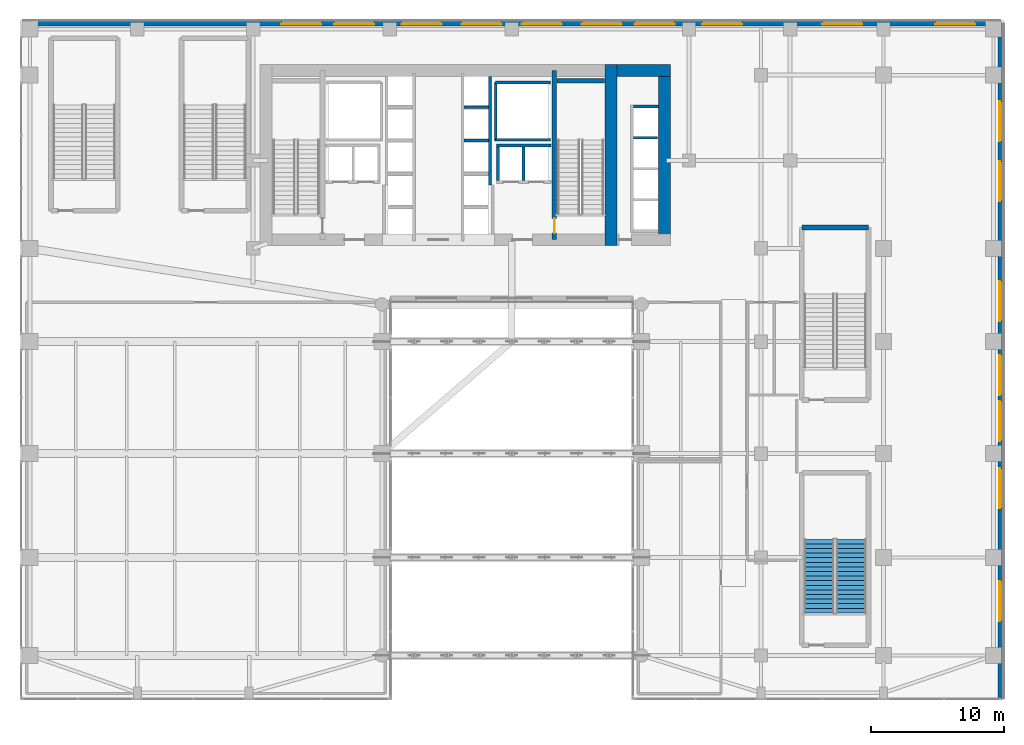
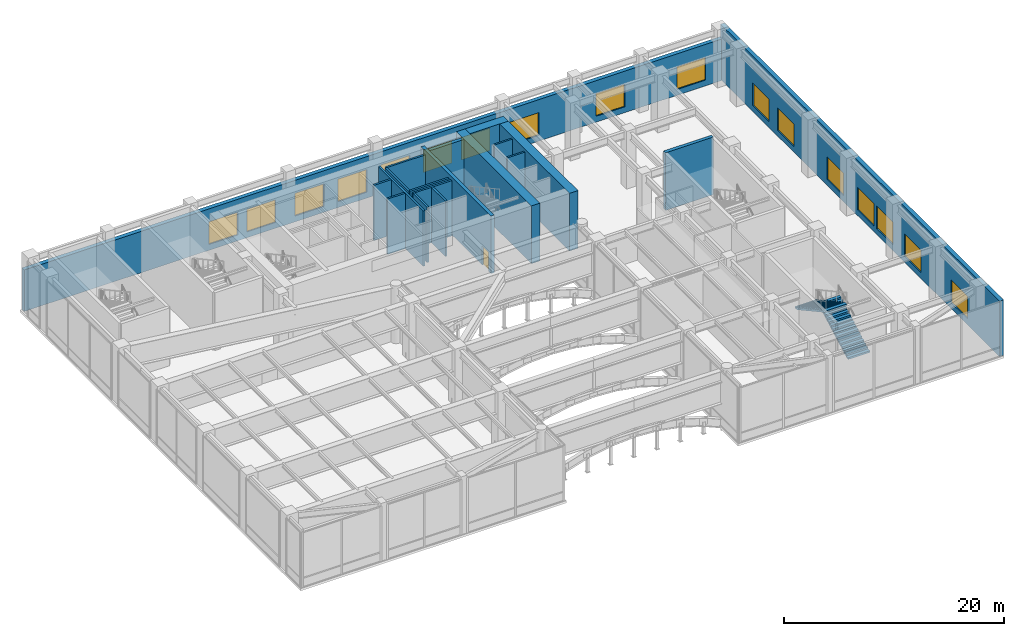
# One storey, part 41 of 50: 19 walls, 17 windows, 2 stair flights, 1 door, 18 openings, 1 element without a shape of its own.
"""IFC4 building model written with IfcOpenShell, lengths in metres."""

from ifc_helpers import new_model, si_unit, direction, frame, frame_2d, origin, place, context, subcontext, project, spatial, polyline, rectangle, outline, extrude, source, transform, mapped, material, layer, layer_set, type_object, type_shapes, element, fill, aggregate, save


model = new_model("IFC4")

# Units and contexts
model_context = context("Model", 3, precision=1e-05, world=origin(), true_north=direction((0.0, 1.0)))
body_context = subcontext(model_context, "Body", "Model", "MODEL_VIEW")
ifc_project = project(units=[si_unit("LENGTHUNIT", "METRE"), si_unit("AREAUNIT", "SQUARE_METRE"), si_unit("VOLUMEUNIT", "CUBIC_METRE"), si_unit("PLANEANGLEUNIT", "RADIAN"), si_unit("MASSUNIT", "GRAM", prefix="KILO")], contexts=[model_context])

# Site, building, storey
site_placement = place(None, origin())
site = spatial("IfcSite", under=ifc_project, at=site_placement, CompositionType="ELEMENT")
building_placement = place(site_placement, origin())
building = spatial("IfcBuilding", under=site, at=building_placement, Name="Tolvann Quenvar Hotel", CompositionType="ELEMENT")
storey_placement = place(building_placement, frame((0.0, 0.0, 16.0)))
storey = spatial("IfcBuildingStorey", under=building, at=storey_placement, Name="L03", CompositionType="ELEMENT", Elevation=16.0)

# Walls
ifc_material_1 = material(Name="Concrete S80 (80 MPa)", Category="concrete")
ifc_layer_1 = layer(ifc_material_1, 0.89990234375)
ifc_layer_set_1 = layer_set([ifc_layer_1], Name="Concrete S80 (80 MPa)")
wall_type_1 = type_object("IfcWallType", Name="WALL_CORE_900", PredefinedType="SHEAR", material=ifc_layer_set_1)
wall_1_placement = place(storey_placement, frame((35.949951171875, 31.60009765625, 0.0), z_axis=(0.0, 0.0, 1.0), x_axis=(0.0, 1.0, 0.0)))
element("IfcWall", 1, at=wall_1_placement, inside=storey, type_object=wall_type_1, Name="Rear Core E Shear Wall (L03)", PredefinedType="SHEAR", context=body_context, shape_type="SweptSolid", body=[
    extrude(rectangle(XDim=13.599853515625, YDim=0.89990234375, at=frame_2d((6.7998046875, 0.0))), origin(), (0.0, 0.0, 1.0), 6.39990234375),
])
wall_2_placement = place(storey_placement, frame((36.39990234375, 44.75, 0.0), z_axis=(0.0, 0.0, 1.0), x_axis=(1.0, 0.0, 0.0)))
element("IfcWall", 2, at=wall_2_placement, inside=storey, type_object=wall_type_1, Name="Core East Annex Shear Wall ANN-N (L03)", PredefinedType="SHEAR", context=body_context, shape_type="SweptSolid", body=[
    extrude(rectangle(XDim=4.0, YDim=0.89990234375, at=frame_2d((2.0, 0.0))), origin(), (0.0, 0.0, 1.0), 6.39990234375),
])
wall_3_placement = place(storey_placement, frame((39.949951171875, 31.60009765625, 0.0), z_axis=(0.0, 0.0, 1.0), x_axis=(0.0, 1.0, 0.0)))
element("IfcWall", 3, at=wall_3_placement, inside=storey, type_object=wall_type_1, Name="Core East Annex Shear Wall ANN-E (L03)", PredefinedType="SHEAR", context=body_context, shape_type="SweptSolid", body=[
    extrude(rectangle(XDim=13.599853515625, YDim=0.89990234375, at=frame_2d((6.7998046875, 0.0))), origin(), (0.0, 0.0, 1.0), 6.39990234375),
])

# Wall, opening, door
ifc_material_2 = material(Name="Concrete S65 (65 MPa)", Category="concrete")
ifc_layer_2 = layer(ifc_material_2, 0.35009765625)
ifc_layer_set_2 = layer_set([ifc_layer_2], Name="Concrete S65 (65 MPa)")
wall_type_2 = type_object("IfcWallType", Name="WALL_CORE_INT_350", PredefinedType="SHEAR", material=ifc_layer_set_2)
wall_4_placement = place(storey_placement, frame((31.699951171875, 32.050048828125, 0.0), z_axis=(0.0, 0.0, 1.0), x_axis=(0.0, 1.0, 0.0)))
wall_4 = element("IfcWall", 4, at=wall_4_placement, inside=storey, type_object=wall_type_2, Name="Core Internal Web Shear Wall WEB-E (L03)", PredefinedType="SHEAR", context=body_context, shape_type="SweptSolid", body=[
    extrude(rectangle(XDim=12.699951171875, YDim=0.35009765625, at=frame_2d((6.35009765625, 0.0))), origin(), (0.0, 0.0, 1.0), 6.39990234375),
])
opening_1_placement = place(wall_4_placement, frame((1.60009765625, 0.0, 0.0), z_axis=(0.0, 0.0, 1.0), x_axis=(-1.0, 0.0, 0.0)))
opening_1 = element("IfcOpeningElement", 5, at=opening_1_placement, cuts=wall_4, Name="Opening FD-120", PredefinedType="OPENING", context=body_context, shape_type="SweptSolid", body=[
    extrude(rectangle(XDim=1.10009765625, YDim=2.1201171875, at=frame_2d((0.550048828125, 1.06005859375))), frame((0.0, 0.18505859375, 0.0), z_axis=(0.0, -1.0, 0.0), x_axis=(1.0, 0.0, 0.0)), (0.0, 0.0, 1.0), 0.3701171875),
])
ifc_material_3 = material(Name="Pressed galvanised steel fire-rated door set", Category="steel")
door_type = type_object("IfcDoorType", Name="DOOR_FIRE_STAIR_1100", OperationType="NOTDEFINED", PredefinedType="DOOR", material=ifc_material_3)
shared_shape_1 = source(origin(), body_context, "Body", "SweptSolid", [
    extrude(rectangle(XDim=1.10009765625, YDim=2.1201171875, at=frame_2d((0.550048828125, 1.06005859375))), frame((0.0, 0.02490234375, 0.0), z_axis=(0.0, -1.0, 0.0), x_axis=(1.0, 0.0, 0.0)), (0.0, 0.0, 1.0), 0.050048828125),
])
type_shapes(door_type, [shared_shape_1])
door_placement = place(opening_1_placement, origin())
door = element("IfcDoor", 6, at=door_placement, inside=storey, type_object=door_type, Name="Exit Stair ST-C2 Fire Door (L03)", OperationType="SINGLE_SWING_LEFT", OverallHeight=2.1201171875, OverallWidth=1.10009765625, PredefinedType="DOOR", context=body_context, shape_type="MappedRepresentation", body=[
    mapped(shared_shape_1, transform((0.0, 0.0, 0.0), x_axis=(1.0, 0.0, 0.0), y_axis=(0.0, 1.0, 0.0), z_axis=(0.0, 0.0, 1.0), scale=1.0)),
])
fill(opening_1, door)

# Walls
wall_5_placement = place(storey_placement, frame((31.8798828125, 43.97509765625, 0.0), z_axis=(0.0, 0.0, 1.0), x_axis=(1.0, 0.0, 0.0)))
element("IfcWall", 7, at=wall_5_placement, inside=storey, type_object=wall_type_2, Name="Core Stair North Closing Shear Wall STC2-N (L03)", PredefinedType="SHEAR", context=body_context, shape_type="SweptSolid", body=[
    extrude(rectangle(XDim=3.60009765625, YDim=0.35009765625, at=frame_2d((1.800048828125, 0.0))), origin(), (0.0, 0.0, 1.0), 6.39990234375),
])
wall_6_placement = place(storey_placement, frame((55.27490234375, 32.97509765625, 0.0), z_axis=(0.0, 0.0, 1.0), x_axis=(-1.0, 0.0, 0.0)))
element("IfcWall", 8, at=wall_6_placement, inside=storey, type_object=wall_type_2, Name="Stairwell ST-P4 Structural Shaft Wall N (L03)", PredefinedType="SHEAR", context=body_context, shape_type="SweptSolid", body=[
    extrude(rectangle(XDim=5.0, YDim=0.35009765625, at=frame_2d((2.5, 0.0))), origin(), (0.0, 0.0, 1.0), 6.39990234375),
])

# Wall, openings, windows
ifc_material_4 = material(Name="Kiln-fired red and buff architectural clay brickwork and terracotta masonry", Category="masonry")
ifc_layer_3 = layer(ifc_material_4, 0.419921875)
ifc_layer_set_3 = layer_set([ifc_layer_3], Name="Kiln-fired red and buff architectural clay brickwork and terracotta masonry")
wall_type_3 = type_object("IfcWallType", Name="WALL_EXT_POD_420", PredefinedType="SOLIDWALL", material=ifc_layer_set_3)
wall_7_placement = place(storey_placement, frame((65.18994140625, -2.409912109375, 0.0), z_axis=(0.0, 0.0, 1.0), x_axis=(0.0, 1.0, 0.0)))
wall_7 = element("IfcWall", 9, at=wall_7_placement, inside=storey, type_object=wall_type_3, Name="Exterior Chicago Brick Wall L03-E05", PredefinedType="SOLIDWALL", context=body_context, shape_type="SweptSolid", body=[
    extrude(rectangle(XDim=50.699951171875, YDim=0.419921875, at=frame_2d((25.35009765625, 0.0))), origin(), (0.0, 0.0, 1.0), 6.139892578125),
])
opening_2_placement = place(wall_7_placement, frame((5.85009765625, 0.0, 0.64990234375)))
opening_2 = element("IfcOpeningElement", 10, at=opening_2_placement, cuts=wall_7, Name="Opening W-05", PredefinedType="OPENING", context=body_context, shape_type="SweptSolid", body=[
    extrude(rectangle(XDim=3.0, YDim=2.5, at=frame_2d((1.5, 1.25))), frame((0.0, 0.219970703125, 0.0), z_axis=(0.0, -1.0, 0.0), x_axis=(1.0, 0.0, 0.0)), (0.0, 0.0, 1.0), 0.43994140625),
])
opening_3_placement = place(wall_7_placement, frame((14.300048828125, 0.0, 0.64990234375)))
opening_3 = element("IfcOpeningElement", 11, at=opening_3_placement, cuts=wall_7, Name="Opening W-05", PredefinedType="OPENING", context=body_context, shape_type="SweptSolid", body=[
    extrude(rectangle(XDim=3.0, YDim=2.5, at=frame_2d((1.5, 1.25))), frame((0.0, 0.219970703125, 0.0), z_axis=(0.0, -1.0, 0.0), x_axis=(1.0, 0.0, 0.0)), (0.0, 0.0, 1.0), 0.43994140625),
])
opening_4_placement = place(wall_7_placement, frame((19.35009765625, 0.0, 0.64990234375)))
opening_4 = element("IfcOpeningElement", 12, at=opening_4_placement, cuts=wall_7, Name="Opening W-05", PredefinedType="OPENING", context=body_context, shape_type="SweptSolid", body=[
    extrude(rectangle(XDim=3.0, YDim=2.5, at=frame_2d((1.5, 1.25))), frame((0.0, 0.219970703125, 0.0), z_axis=(0.0, -1.0, 0.0), x_axis=(1.0, 0.0, 0.0)), (0.0, 0.0, 1.0), 0.43994140625),
])
opening_5_placement = place(wall_7_placement, frame((22.800048828125, 0.0, 0.64990234375)))
opening_5 = element("IfcOpeningElement", 13, at=opening_5_placement, cuts=wall_7, Name="Opening W-05", PredefinedType="OPENING", context=body_context, shape_type="SweptSolid", body=[
    extrude(rectangle(XDim=3.0, YDim=2.5, at=frame_2d((1.5, 1.25))), frame((0.0, 0.219970703125, 0.0), z_axis=(0.0, -1.0, 0.0), x_axis=(1.0, 0.0, 0.0)), (0.0, 0.0, 1.0), 0.43994140625),
])
opening_6_placement = place(wall_7_placement, frame((28.35009765625, 0.0, 0.64990234375)))
opening_6 = element("IfcOpeningElement", 14, at=opening_6_placement, cuts=wall_7, Name="Opening W-05", PredefinedType="OPENING", context=body_context, shape_type="SweptSolid", body=[
    extrude(rectangle(XDim=3.0, YDim=2.5, at=frame_2d((1.5, 1.25))), frame((0.0, 0.219970703125, 0.0), z_axis=(0.0, -1.0, 0.0), x_axis=(1.0, 0.0, 0.0)), (0.0, 0.0, 1.0), 0.43994140625),
])
opening_7_placement = place(wall_7_placement, frame((37.35009765625, 0.0, 0.64990234375)))
opening_7 = element("IfcOpeningElement", 15, at=opening_7_placement, cuts=wall_7, Name="Opening W-05", PredefinedType="OPENING", context=body_context, shape_type="SweptSolid", body=[
    extrude(rectangle(XDim=3.0, YDim=2.5, at=frame_2d((1.5, 1.25))), frame((0.0, 0.219970703125, 0.0), z_axis=(0.0, -1.0, 0.0), x_axis=(1.0, 0.0, 0.0)), (0.0, 0.0, 1.0), 0.43994140625),
])
opening_8_placement = place(wall_7_placement, frame((41.85009765625, 0.0, 0.64990234375)))
opening_8 = element("IfcOpeningElement", 16, at=opening_8_placement, cuts=wall_7, Name="Opening W-05", PredefinedType="OPENING", context=body_context, shape_type="SweptSolid", body=[
    extrude(rectangle(XDim=3.0, YDim=2.5, at=frame_2d((1.5, 1.25))), frame((0.0, 0.219970703125, 0.0), z_axis=(0.0, -1.0, 0.0), x_axis=(1.0, 0.0, 0.0)), (0.0, 0.0, 1.0), 0.43994140625),
])
ifc_material_5 = material(Name="Thermally broken bronze-anodised aluminium frame with double low-E glazing", Category="aluminium")
window_type = type_object("IfcWindowType", Name="WIN_POD_3000x2600", PartitioningType="TRIPLE_PANEL_HORIZONTAL", PredefinedType="WINDOW", material=ifc_material_5)
shared_shape_2 = source(origin(), body_context, "Body", "SweptSolid", [
    extrude(rectangle(XDim=3.0, YDim=2.5, at=frame_2d((1.5, 1.25))), frame((0.0, 0.090087890625, 0.0), z_axis=(0.0, -1.0, 0.0), x_axis=(1.0, 0.0, 0.0)), (0.0, 0.0, 1.0), 0.06005859375),
])
type_shapes(window_type, [shared_shape_2])
window_1_placement = place(opening_2_placement, origin())
window_1 = element("IfcWindow", 17, at=window_1_placement, inside=storey, type_object=window_type, Name="Chicago Window W-05 (EW-L03-E05-W01)", OverallHeight=2.5, OverallWidth=3.0, PartitioningType="TRIPLE_PANEL_HORIZONTAL", PredefinedType="WINDOW", context=body_context, shape_type="MappedRepresentation", body=[
    mapped(shared_shape_2, transform((0.0, 0.0, 0.0), x_axis=(1.0, 0.0, 0.0), y_axis=(0.0, 1.0, 0.0), z_axis=(0.0, 0.0, 1.0), scale=1.0)),
])
fill(opening_2, window_1)
window_2_placement = place(opening_3_placement, origin())
window_2 = element("IfcWindow", 18, at=window_2_placement, inside=storey, type_object=window_type, Name="Chicago Window W-05 (EW-L03-E05-W02)", OverallHeight=2.5, OverallWidth=3.0, PartitioningType="TRIPLE_PANEL_HORIZONTAL", PredefinedType="WINDOW", context=body_context, shape_type="MappedRepresentation", body=[
    mapped(shared_shape_2, transform((0.0, 0.0, 0.0), x_axis=(1.0, 0.0, 0.0), y_axis=(0.0, 1.0, 0.0), z_axis=(0.0, 0.0, 1.0), scale=1.0)),
])
fill(opening_3, window_2)
window_3_placement = place(opening_4_placement, origin())
window_3 = element("IfcWindow", 19, at=window_3_placement, inside=storey, type_object=window_type, Name="Chicago Window W-05 (EW-L03-E05-W03)", OverallHeight=2.5, OverallWidth=3.0, PartitioningType="TRIPLE_PANEL_HORIZONTAL", PredefinedType="WINDOW", context=body_context, shape_type="MappedRepresentation", body=[
    mapped(shared_shape_2, transform((0.0, 0.0, 0.0), x_axis=(1.0, 0.0, 0.0), y_axis=(0.0, 1.0, 0.0), z_axis=(0.0, 0.0, 1.0), scale=1.0)),
])
fill(opening_4, window_3)
window_4_placement = place(opening_5_placement, origin())
window_4 = element("IfcWindow", 20, at=window_4_placement, inside=storey, type_object=window_type, Name="Chicago Window W-05 (EW-L03-E05-W04)", OverallHeight=2.5, OverallWidth=3.0, PartitioningType="TRIPLE_PANEL_HORIZONTAL", PredefinedType="WINDOW", context=body_context, shape_type="MappedRepresentation", body=[
    mapped(shared_shape_2, transform((0.0, 0.0, 0.0), x_axis=(1.0, 0.0, 0.0), y_axis=(0.0, 1.0, 0.0), z_axis=(0.0, 0.0, 1.0), scale=1.0)),
])
fill(opening_5, window_4)
window_5_placement = place(opening_6_placement, origin())
window_5 = element("IfcWindow", 21, at=window_5_placement, inside=storey, type_object=window_type, Name="Chicago Window W-05 (EW-L03-E05-W05)", OverallHeight=2.5, OverallWidth=3.0, PartitioningType="TRIPLE_PANEL_HORIZONTAL", PredefinedType="WINDOW", context=body_context, shape_type="MappedRepresentation", body=[
    mapped(shared_shape_2, transform((0.0, 0.0, 0.0), x_axis=(1.0, 0.0, 0.0), y_axis=(0.0, 1.0, 0.0), z_axis=(0.0, 0.0, 1.0), scale=1.0)),
])
fill(opening_6, window_5)
window_6_placement = place(opening_7_placement, origin())
window_6 = element("IfcWindow", 22, at=window_6_placement, inside=storey, type_object=window_type, Name="Chicago Window W-05 (EW-L03-E05-W06)", OverallHeight=2.5, OverallWidth=3.0, PartitioningType="TRIPLE_PANEL_HORIZONTAL", PredefinedType="WINDOW", context=body_context, shape_type="MappedRepresentation", body=[
    mapped(shared_shape_2, transform((0.0, 0.0, 0.0), x_axis=(1.0, 0.0, 0.0), y_axis=(0.0, 1.0, 0.0), z_axis=(0.0, 0.0, 1.0), scale=1.0)),
])
fill(opening_7, window_6)
window_7_placement = place(opening_8_placement, origin())
window_7 = element("IfcWindow", 23, at=window_7_placement, inside=storey, type_object=window_type, Name="Chicago Window W-05 (EW-L03-E05-W07)", OverallHeight=2.5, OverallWidth=3.0, PartitioningType="TRIPLE_PANEL_HORIZONTAL", PredefinedType="WINDOW", context=body_context, shape_type="MappedRepresentation", body=[
    mapped(shared_shape_2, transform((0.0, 0.0, 0.0), x_axis=(1.0, 0.0, 0.0), y_axis=(0.0, 1.0, 0.0), z_axis=(0.0, 0.0, 1.0), scale=1.0)),
])
fill(opening_8, window_7)

wall_8_placement = place(storey_placement, frame((65.18994140625, 48.2900390625, 0.0), z_axis=(0.0, 0.0, 1.0), x_axis=(-1.0, 0.0, 0.0)))
wall_8 = element("IfcWall", 24, at=wall_8_placement, inside=storey, type_object=wall_type_3, Name="Exterior Chicago Brick Wall L03-E06", PredefinedType="SOLIDWALL", context=body_context, shape_type="SweptSolid", body=[
    extrude(rectangle(XDim=73.3798828125, YDim=0.419921875, at=frame_2d((36.68994140625, 0.0))), origin(), (0.0, 0.0, 1.0), 4.60009765625),
])
opening_9_placement = place(wall_8_placement, frame((1.906005859375, 0.0, 0.64990234375)))
opening_9 = element("IfcOpeningElement", 25, at=opening_9_placement, cuts=wall_8, Name="Opening W-05", PredefinedType="OPENING", context=body_context, shape_type="SweptSolid", body=[
    extrude(rectangle(XDim=3.0, YDim=2.5, at=frame_2d((1.5, 1.25))), frame((0.0, 0.219970703125, 0.0), z_axis=(0.0, -1.0, 0.0), x_axis=(1.0, 0.0, 0.0)), (0.0, 0.0, 1.0), 0.43994140625),
])
opening_10_placement = place(wall_8_placement, frame((10.3779296875, 0.0, 0.64990234375)))
opening_10 = element("IfcOpeningElement", 26, at=opening_10_placement, cuts=wall_8, Name="Opening W-05", PredefinedType="OPENING", context=body_context, shape_type="SweptSolid", body=[
    extrude(rectangle(XDim=3.0, YDim=2.5, at=frame_2d((1.5, 1.25))), frame((0.0, 0.219970703125, 0.0), z_axis=(0.0, -1.0, 0.0), x_axis=(1.0, 0.0, 0.0)), (0.0, 0.0, 1.0), 0.43994140625),
])
opening_11_placement = place(wall_8_placement, frame((19.40087890625, 0.0, 0.64990234375)))
opening_11 = element("IfcOpeningElement", 27, at=opening_11_placement, cuts=wall_8, Name="Opening W-05", PredefinedType="OPENING", context=body_context, shape_type="SweptSolid", body=[
    extrude(rectangle(XDim=3.0, YDim=2.5, at=frame_2d((1.5, 1.25))), frame((0.0, 0.219970703125, 0.0), z_axis=(0.0, -1.0, 0.0), x_axis=(1.0, 0.0, 0.0)), (0.0, 0.0, 1.0), 0.43994140625),
])
opening_12_placement = place(wall_8_placement, frame((24.4619140625, 0.0, 0.64990234375)))
opening_12 = element("IfcOpeningElement", 28, at=opening_12_placement, cuts=wall_8, Name="Opening W-05", PredefinedType="OPENING", context=body_context, shape_type="SweptSolid", body=[
    extrude(rectangle(XDim=3.0, YDim=2.5, at=frame_2d((1.5, 1.25))), frame((0.0, 0.219970703125, 0.0), z_axis=(0.0, -1.0, 0.0), x_axis=(1.0, 0.0, 0.0)), (0.0, 0.0, 1.0), 0.43994140625),
])
opening_13_placement = place(wall_8_placement, frame((28.423095703125, 0.0, 0.64990234375)))
opening_13 = element("IfcOpeningElement", 29, at=opening_13_placement, cuts=wall_8, Name="Opening W-05", PredefinedType="OPENING", context=body_context, shape_type="SweptSolid", body=[
    extrude(rectangle(XDim=3.0, YDim=2.5, at=frame_2d((1.5, 1.25))), frame((0.0, 0.219970703125, 0.0), z_axis=(0.0, -1.0, 0.0), x_axis=(1.0, 0.0, 0.0)), (0.0, 0.0, 1.0), 0.43994140625),
])
opening_14_placement = place(wall_8_placement, frame((32.93408203125, 0.0, 0.64990234375)))
opening_14 = element("IfcOpeningElement", 30, at=opening_14_placement, cuts=wall_8, Name="Opening W-05", PredefinedType="OPENING", context=body_context, shape_type="SweptSolid", body=[
    extrude(rectangle(XDim=3.0, YDim=2.5, at=frame_2d((1.5, 1.25))), frame((0.0, 0.219970703125, 0.0), z_axis=(0.0, -1.0, 0.0), x_axis=(1.0, 0.0, 0.0)), (0.0, 0.0, 1.0), 0.43994140625),
])
opening_15_placement = place(wall_8_placement, frame((37.446044921875, 0.0, 0.64990234375)))
opening_15 = element("IfcOpeningElement", 31, at=opening_15_placement, cuts=wall_8, Name="Opening W-05", PredefinedType="OPENING", context=body_context, shape_type="SweptSolid", body=[
    extrude(rectangle(XDim=3.0, YDim=2.5, at=frame_2d((1.5, 1.25))), frame((0.0, 0.219970703125, 0.0), z_axis=(0.0, -1.0, 0.0), x_axis=(1.0, 0.0, 0.0)), (0.0, 0.0, 1.0), 0.43994140625),
])
opening_16_placement = place(wall_8_placement, frame((41.95703125, 0.0, 0.64990234375)))
opening_16 = element("IfcOpeningElement", 32, at=opening_16_placement, cuts=wall_8, Name="Opening W-05", PredefinedType="OPENING", context=body_context, shape_type="SweptSolid", body=[
    extrude(rectangle(XDim=3.0, YDim=2.5, at=frame_2d((1.5, 1.25))), frame((0.0, 0.219970703125, 0.0), z_axis=(0.0, -1.0, 0.0), x_axis=(1.0, 0.0, 0.0)), (0.0, 0.0, 1.0), 0.43994140625),
])
opening_17_placement = place(wall_8_placement, frame((47.01806640625, 0.0, 0.64990234375)))
opening_17 = element("IfcOpeningElement", 33, at=opening_17_placement, cuts=wall_8, Name="Opening W-05", PredefinedType="OPENING", context=body_context, shape_type="SweptSolid", body=[
    extrude(rectangle(XDim=3.0, YDim=2.5, at=frame_2d((1.5, 1.25))), frame((0.0, 0.219970703125, 0.0), z_axis=(0.0, -1.0, 0.0), x_axis=(1.0, 0.0, 0.0)), (0.0, 0.0, 1.0), 0.43994140625),
])
opening_18_placement = place(wall_8_placement, frame((50.97900390625, 0.0, 0.64990234375)))
opening_18 = element("IfcOpeningElement", 34, at=opening_18_placement, cuts=wall_8, Name="Opening W-05", PredefinedType="OPENING", context=body_context, shape_type="SweptSolid", body=[
    extrude(rectangle(XDim=3.0, YDim=2.5, at=frame_2d((1.5, 1.25))), frame((0.0, 0.219970703125, 0.0), z_axis=(0.0, -1.0, 0.0), x_axis=(1.0, 0.0, 0.0)), (0.0, 0.0, 1.0), 0.43994140625),
])
window_8_placement = place(opening_9_placement, origin())
window_8 = element("IfcWindow", 35, at=window_8_placement, inside=storey, type_object=window_type, Name="Chicago Window W-05 (EW-L03-E06-W01)", OverallHeight=2.5, OverallWidth=3.0, PartitioningType="TRIPLE_PANEL_HORIZONTAL", PredefinedType="WINDOW", context=body_context, shape_type="MappedRepresentation", body=[
    mapped(shared_shape_2, transform((0.0, 0.0, 0.0), x_axis=(1.0, 0.0, 0.0), y_axis=(0.0, 1.0, 0.0), z_axis=(0.0, 0.0, 1.0), scale=1.0)),
])
fill(opening_9, window_8)
window_9_placement = place(opening_10_placement, origin())
window_9 = element("IfcWindow", 36, at=window_9_placement, inside=storey, type_object=window_type, Name="Chicago Window W-05 (EW-L03-E06-W02)", OverallHeight=2.5, OverallWidth=3.0, PartitioningType="TRIPLE_PANEL_HORIZONTAL", PredefinedType="WINDOW", context=body_context, shape_type="MappedRepresentation", body=[
    mapped(shared_shape_2, transform((0.0, 0.0, 0.0), x_axis=(1.0, 0.0, 0.0), y_axis=(0.0, 1.0, 0.0), z_axis=(0.0, 0.0, 1.0), scale=1.0)),
])
fill(opening_10, window_9)
window_10_placement = place(opening_11_placement, origin())
window_10 = element("IfcWindow", 37, at=window_10_placement, inside=storey, type_object=window_type, Name="Chicago Window W-05 (EW-L03-E06-W03)", OverallHeight=2.5, OverallWidth=3.0, PartitioningType="TRIPLE_PANEL_HORIZONTAL", PredefinedType="WINDOW", context=body_context, shape_type="MappedRepresentation", body=[
    mapped(shared_shape_2, transform((0.0, 0.0, 0.0), x_axis=(1.0, 0.0, 0.0), y_axis=(0.0, 1.0, 0.0), z_axis=(0.0, 0.0, 1.0), scale=1.0)),
])
fill(opening_11, window_10)
window_11_placement = place(opening_12_placement, origin())
window_11 = element("IfcWindow", 38, at=window_11_placement, inside=storey, type_object=window_type, Name="Chicago Window W-05 (EW-L03-E06-W04)", OverallHeight=2.5, OverallWidth=3.0, PartitioningType="TRIPLE_PANEL_HORIZONTAL", PredefinedType="WINDOW", context=body_context, shape_type="MappedRepresentation", body=[
    mapped(shared_shape_2, transform((0.0, 0.0, 0.0), x_axis=(1.0, 0.0, 0.0), y_axis=(0.0, 1.0, 0.0), z_axis=(0.0, 0.0, 1.0), scale=1.0)),
])
fill(opening_12, window_11)
window_12_placement = place(opening_13_placement, origin())
window_12 = element("IfcWindow", 39, at=window_12_placement, inside=storey, type_object=window_type, Name="Chicago Window W-05 (EW-L03-E06-W05)", OverallHeight=2.5, OverallWidth=3.0, PartitioningType="TRIPLE_PANEL_HORIZONTAL", PredefinedType="WINDOW", context=body_context, shape_type="MappedRepresentation", body=[
    mapped(shared_shape_2, transform((0.0, 0.0, 0.0), x_axis=(1.0, 0.0, 0.0), y_axis=(0.0, 1.0, 0.0), z_axis=(0.0, 0.0, 1.0), scale=1.0)),
])
fill(opening_13, window_12)
window_13_placement = place(opening_14_placement, origin())
window_13 = element("IfcWindow", 40, at=window_13_placement, inside=storey, type_object=window_type, Name="Chicago Window W-05 (EW-L03-E06-W06)", OverallHeight=2.5, OverallWidth=3.0, PartitioningType="TRIPLE_PANEL_HORIZONTAL", PredefinedType="WINDOW", context=body_context, shape_type="MappedRepresentation", body=[
    mapped(shared_shape_2, transform((0.0, 0.0, 0.0), x_axis=(1.0, 0.0, 0.0), y_axis=(0.0, 1.0, 0.0), z_axis=(0.0, 0.0, 1.0), scale=1.0)),
])
fill(opening_14, window_13)
window_14_placement = place(opening_15_placement, origin())
window_14 = element("IfcWindow", 41, at=window_14_placement, inside=storey, type_object=window_type, Name="Chicago Window W-05 (EW-L03-E06-W07)", OverallHeight=2.5, OverallWidth=3.0, PartitioningType="TRIPLE_PANEL_HORIZONTAL", PredefinedType="WINDOW", context=body_context, shape_type="MappedRepresentation", body=[
    mapped(shared_shape_2, transform((0.0, 0.0, 0.0), x_axis=(1.0, 0.0, 0.0), y_axis=(0.0, 1.0, 0.0), z_axis=(0.0, 0.0, 1.0), scale=1.0)),
])
fill(opening_15, window_14)
window_15_placement = place(opening_16_placement, origin())
window_15 = element("IfcWindow", 42, at=window_15_placement, inside=storey, type_object=window_type, Name="Chicago Window W-05 (EW-L03-E06-W08)", OverallHeight=2.5, OverallWidth=3.0, PartitioningType="TRIPLE_PANEL_HORIZONTAL", PredefinedType="WINDOW", context=body_context, shape_type="MappedRepresentation", body=[
    mapped(shared_shape_2, transform((0.0, 0.0, 0.0), x_axis=(1.0, 0.0, 0.0), y_axis=(0.0, 1.0, 0.0), z_axis=(0.0, 0.0, 1.0), scale=1.0)),
])
fill(opening_16, window_15)
window_16_placement = place(opening_17_placement, origin())
window_16 = element("IfcWindow", 43, at=window_16_placement, inside=storey, type_object=window_type, Name="Chicago Window W-05 (EW-L03-E06-W09)", OverallHeight=2.5, OverallWidth=3.0, PartitioningType="TRIPLE_PANEL_HORIZONTAL", PredefinedType="WINDOW", context=body_context, shape_type="MappedRepresentation", body=[
    mapped(shared_shape_2, transform((0.0, 0.0, 0.0), x_axis=(1.0, 0.0, 0.0), y_axis=(0.0, 1.0, 0.0), z_axis=(0.0, 0.0, 1.0), scale=1.0)),
])
fill(opening_17, window_16)
window_17_placement = place(opening_18_placement, origin())
window_17 = element("IfcWindow", 44, at=window_17_placement, inside=storey, type_object=window_type, Name="Chicago Window W-05 (EW-L03-E06-W10)", OverallHeight=2.5, OverallWidth=3.0, PartitioningType="TRIPLE_PANEL_HORIZONTAL", PredefinedType="WINDOW", context=body_context, shape_type="MappedRepresentation", body=[
    mapped(shared_shape_2, transform((0.0, 0.0, 0.0), x_axis=(1.0, 0.0, 0.0), y_axis=(0.0, 1.0, 0.0), z_axis=(0.0, 0.0, 1.0), scale=1.0)),
])
fill(opening_18, window_17)

# Walls
ifc_material_6 = material(Name="Concrete N40 (40 MPa)", Category="concrete")
ifc_layer_4 = layer(ifc_material_6, 0.199951171875)
ifc_layer_set_4 = layer_set([ifc_layer_4], Name="Concrete N40 (40 MPa)")
wall_type_4 = type_object("IfcWallType", Name="WALL_SHAFT_200", PredefinedType="SOLIDWALL", material=ifc_layer_set_4)
wall_9_placement = place(storey_placement, frame((27.300048828125, 39.449951171875, 0.0), z_axis=(0.0, 0.0, 1.0), x_axis=(0.0, 1.0, 0.0)))
element("IfcWall", 45, at=wall_9_placement, inside=storey, type_object=wall_type_4, Name="Service Riser E Shaft Wall IN (L03)", PredefinedType="SOLIDWALL", context=body_context, shape_type="SweptSolid", body=[
    extrude(rectangle(XDim=4.400146484375, YDim=0.199951171875, at=frame_2d((2.2001953125, 0.0))), origin(), (0.0, 0.0, 1.0), 6.139892578125),
])
for number, where, z_axis, x_axis, name in (
    (46, (27.300048828125, 39.550048828125, 0.0), (0.0, 0.0, 1.0), (1.0, 0.0, 0.0), "Service Riser E Shaft Wall S (L03)"),
    (47, (27.300048828125, 43.85009765625, 0.0), (0.0, 0.0, 1.0), (1.0, 0.0, 0.0), "Service Riser E Shaft Wall N (L03)"),
):
    element("IfcWall", number, at=place(storey_placement, frame(where, z_axis=z_axis, x_axis=x_axis)), inside=storey, type_object=wall_type_4, Name=name, PredefinedType="SOLIDWALL", context=body_context, shape_type="SweptSolid", body=[
        extrude(rectangle(XDim=4.099853515625, YDim=0.199951171875, at=frame_2d((2.0498046875, 0.0))), origin(), (0.0, 0.0, 1.0), 6.139892578125),
    ])
wall_10_placement = place(storey_placement, frame((27.375, 39.1201171875, 0.0), z_axis=(0.0, 0.0, 1.0), x_axis=(1.0, 0.0, 0.0)))
element("IfcWall", 48, at=wall_10_placement, inside=storey, type_object=wall_type_4, Name="Lift Bank SEC1 Hoistway Rear Wall (L03)", PredefinedType="SOLIDWALL", context=body_context, shape_type="SweptSolid", body=[
    extrude(rectangle(XDim=4.074951171875, YDim=0.199951171875, at=frame_2d((2.03759765625, 0.0))), origin(), (0.0, 0.0, 1.0), 6.139892578125),
])
for number, where, z_axis, x_axis, name in (
    (49, (27.47509765625, 36.47998046875, 0.0), (0.0, 0.0, 1.0), (0.0, 1.0, 0.0), "Lift Bank SEC1 Hoistway Cheek Wall 1 (L03)"),
    (50, (29.387451171875, 36.47998046875, 0.0), (0.0, 0.0, 1.0), (0.0, 1.0, 0.0), "Lift Bank SEC1 Divider Wall 1 (L03)"),
):
    element("IfcWall", number, at=place(storey_placement, frame(where, z_axis=z_axis, x_axis=x_axis)), inside=storey, type_object=wall_type_4, Name=name, PredefinedType="SOLIDWALL", context=body_context, shape_type="SweptSolid", body=[
        extrude(rectangle(XDim=2.5400390625, YDim=0.199951171875, at=frame_2d((1.27001953125, 0.0))), origin(), (0.0, 0.0, 1.0), 6.139892578125),
    ])
wall_11_placement = place(storey_placement, frame((26.8701171875, 36.159912109375, 0.0), z_axis=(0.0, 0.0, 1.0), x_axis=(0.0, 1.0, 0.0)))
element("IfcWall", 51, at=wall_11_placement, inside=storey, type_object=wall_type_4, Name="Lift Bank W24.9C1 Hoistway Rear Wall (L03)", PredefinedType="SOLIDWALL", context=body_context, shape_type="SweptSolid", body=[
    extrude(rectangle(XDim=8.135986328125, YDim=0.199951171875, at=frame_2d((4.06787109375, 0.0))), origin(), (0.0, 0.0, 1.0), 6.139892578125),
])
for number, where, z_axis, x_axis, name in (
    (52, (24.929931640625, 39.5, 0.0), (0.0, 0.0, 1.0), (1.0, 0.0, 0.0), "Lift Bank W24.9C1 Divider Wall 3 (L03)"),
    (53, (24.929931640625, 42.0, 0.0), (0.0, 0.0, 1.0), (1.0, 0.0, 0.0), "Lift Bank W24.9C1 Divider Wall 4 (L03)"),
):
    element("IfcWall", number, at=place(storey_placement, frame(where, z_axis=z_axis, x_axis=x_axis)), inside=storey, type_object=wall_type_4, Name=name, PredefinedType="SOLIDWALL", context=body_context, shape_type="SweptSolid", body=[
        extrude(rectangle(XDim=1.840087890625, YDim=0.199951171875, at=frame_2d((0.919921875, 0.0))), origin(), (0.0, 0.0, 1.0), 6.139892578125),
    ])
wall_12_placement = place(storey_placement, frame((37.6298828125, 42.050048828125, 0.0), z_axis=(0.0, 0.0, 1.0), x_axis=(1.0, 0.0, 0.0)))
element("IfcWall", 54, at=wall_12_placement, inside=storey, type_object=wall_type_4, Name="Lift Bank W37.6C1 Hoistway Cheek Wall 2 (L03)", PredefinedType="SOLIDWALL", context=body_context, shape_type="SweptSolid", body=[
    extrude(rectangle(XDim=1.8701171875, YDim=0.199951171875, at=frame_2d((0.93505859375, 0.0))), origin(), (0.0, 0.0, 1.0), 6.139892578125),
])
wall_13_placement = place(storey_placement, frame((37.6298828125, 39.699951171875, 0.0), z_axis=(0.0, 0.0, 1.0), x_axis=(1.0, 0.0, 0.0)))
element("IfcWall", 55, at=wall_13_placement, inside=storey, type_object=wall_type_4, Name="Lift Bank W37.6C1 Divider Wall 3 (L03)", PredefinedType="SOLIDWALL", context=body_context, shape_type="SweptSolid", body=[
    extrude(rectangle(XDim=1.800048828125, YDim=0.199951171875, at=frame_2d((0.89990234375, 0.0))), origin(), (0.0, 0.0, 1.0), 6.139892578125),
])

# Stair, stair flights
stair_type = type_object("IfcStairType", Name="STAIR", PredefinedType="HALF_TURN_STAIR", material=ifc_material_6)
stair_placement = place(storey_placement, origin())
stair = element("IfcStair", 56, at=stair_placement, inside=storey, type_object=stair_type, Name="L03 ST-P3", PredefinedType="HALF_TURN_STAIR")
stair_flight_type = type_object("IfcStairFlightType", Name="STAIR_FLIGHT", PredefinedType="STRAIGHT", material=ifc_material_6)
stair_flight_1_placement = place(storey_placement, frame((53.97509765625, 4.050048828125, 0.0), z_axis=(0.0, 0.0, 1.0), x_axis=(0.0, 1.0, 0.0)))
stair_flight_1 = element("IfcStairFlight", 57, at=stair_flight_1_placement, type_object=stair_flight_type, Name="ST-P3 flight 1", NumberOfRisers=17, NumberOfTreads=16, PredefinedType="STRAIGHT", RiserHeight=0.188235294, TreadLength=0.345, context=body_context, shape_type="SweptSolid", body=[
    extrude(outline(polyline([(0.0, 0.0), (0.0, 0.188232421875), (0.344970703125, 0.188232421875), (0.344970703125, 0.37646484375), (0.68994140625, 0.37646484375), (0.68994140625, 0.564697265625), (1.034912109375, 0.564697265625), (1.034912109375, 0.7529296875), (1.3798828125, 0.7529296875), (1.3798828125, 0.941162109375), (1.72509765625, 0.941162109375), (1.72509765625, 1.12939453125), (2.070068359375, 1.12939453125), (2.070068359375, 1.317626953125), (2.4150390625, 1.317626953125), (2.4150390625, 1.505859375), (2.760009765625, 1.505859375), (2.760009765625, 1.694091796875), (3.10498046875, 1.694091796875), (3.10498046875, 1.88232421875), (3.449951171875, 1.88232421875), (3.449951171875, 2.070556640625), (3.794921875, 2.070556640625), (3.794921875, 2.2587890625), (4.139892578125, 2.2587890625), (4.139892578125, 2.447021484375), (4.485107421875, 2.447021484375), (4.485107421875, 2.63525390625), (4.830078125, 2.63525390625), (4.830078125, 2.823486328125), (5.175048828125, 2.823486328125), (5.175048828125, 3.01171875), (5.52001953125, 3.01171875), (5.52001953125, 3.199951171875), (5.52001953125, 2.841064453125), (0.31298828125, 0.0), (0.0, 0.0)])), frame((0.0, 1.125, 0.0), z_axis=(0.0, -1.0, 0.0), x_axis=(1.0, 0.0, 0.0)), (0.0, 0.0, 1.0), 2.25),
])
stair_flight_2_placement = place(storey_placement, frame((51.574951171875, 9.570068359375, 3.199951171875), z_axis=(0.0, 0.0, 1.0), x_axis=(0.0, -1.0, 0.0)))
stair_flight_2 = element("IfcStairFlight", 58, at=stair_flight_2_placement, type_object=stair_flight_type, Name="ST-P3 flight 2", NumberOfRisers=17, NumberOfTreads=16, PredefinedType="STRAIGHT", RiserHeight=0.188235294, TreadLength=0.345, context=body_context, shape_type="SweptSolid", body=[
    extrude(outline(polyline([(0.0, 0.0), (0.0, 0.188232421875), (0.344970703125, 0.188232421875), (0.344970703125, 0.37646484375), (0.68994140625, 0.37646484375), (0.68994140625, 0.564697265625), (1.034912109375, 0.564697265625), (1.034912109375, 0.7529296875), (1.3798828125, 0.7529296875), (1.3798828125, 0.941162109375), (1.72509765625, 0.941162109375), (1.72509765625, 1.12939453125), (2.070068359375, 1.12939453125), (2.070068359375, 1.317626953125), (2.4150390625, 1.317626953125), (2.4150390625, 1.505859375), (2.760009765625, 1.505859375), (2.760009765625, 1.694091796875), (3.10498046875, 1.694091796875), (3.10498046875, 1.88232421875), (3.449951171875, 1.88232421875), (3.449951171875, 2.070556640625), (3.794921875, 2.070556640625), (3.794921875, 2.2587890625), (4.139892578125, 2.2587890625), (4.139892578125, 2.447021484375), (4.485107421875, 2.447021484375), (4.485107421875, 2.63525390625), (4.830078125, 2.63525390625), (4.830078125, 2.823486328125), (5.175048828125, 2.823486328125), (5.175048828125, 3.01171875), (5.52001953125, 3.01171875), (5.52001953125, 3.199951171875), (5.52001953125, 2.841064453125), (0.31298828125, 0.0), (0.0, 0.0)])), frame((0.0, 1.125, 0.0), z_axis=(0.0, -1.0, 0.0), x_axis=(1.0, 0.0, 0.0)), (0.0, 0.0, 1.0), 2.25),
])
aggregate(stair, [stair_flight_1, stair_flight_2])

save(model, "model.ifc")
